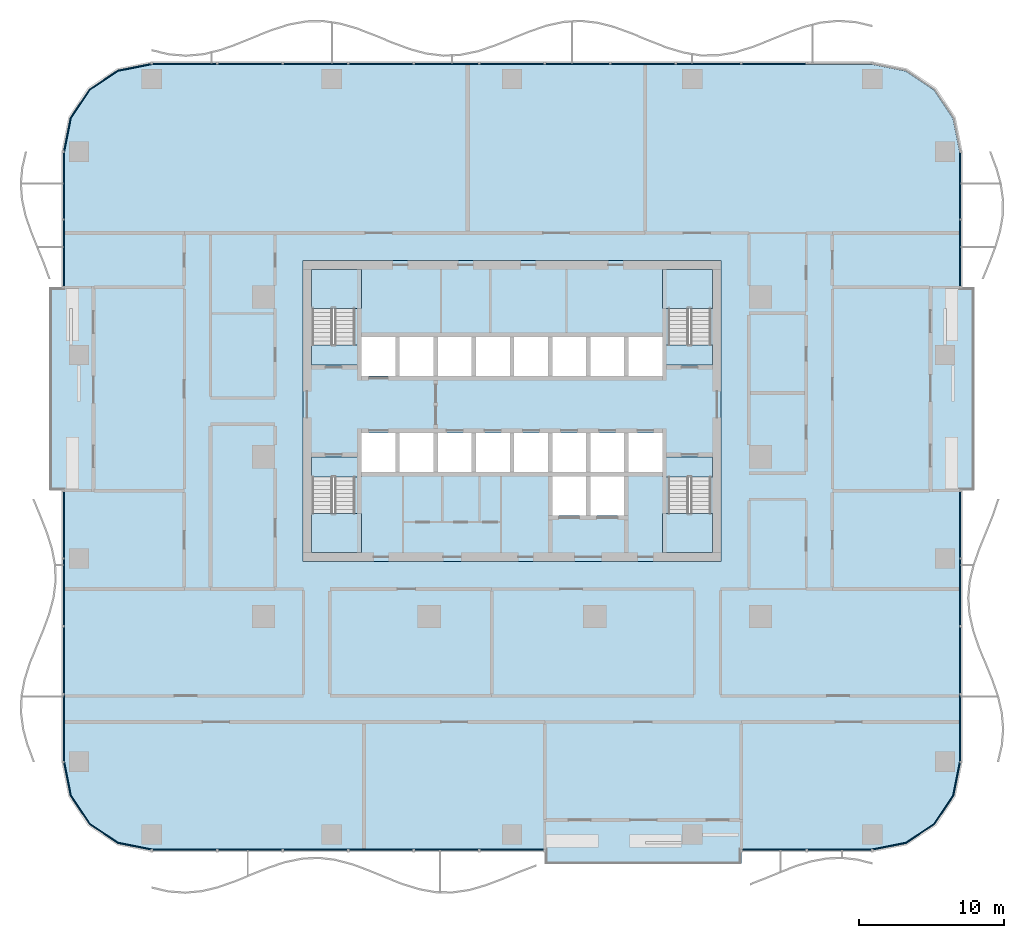
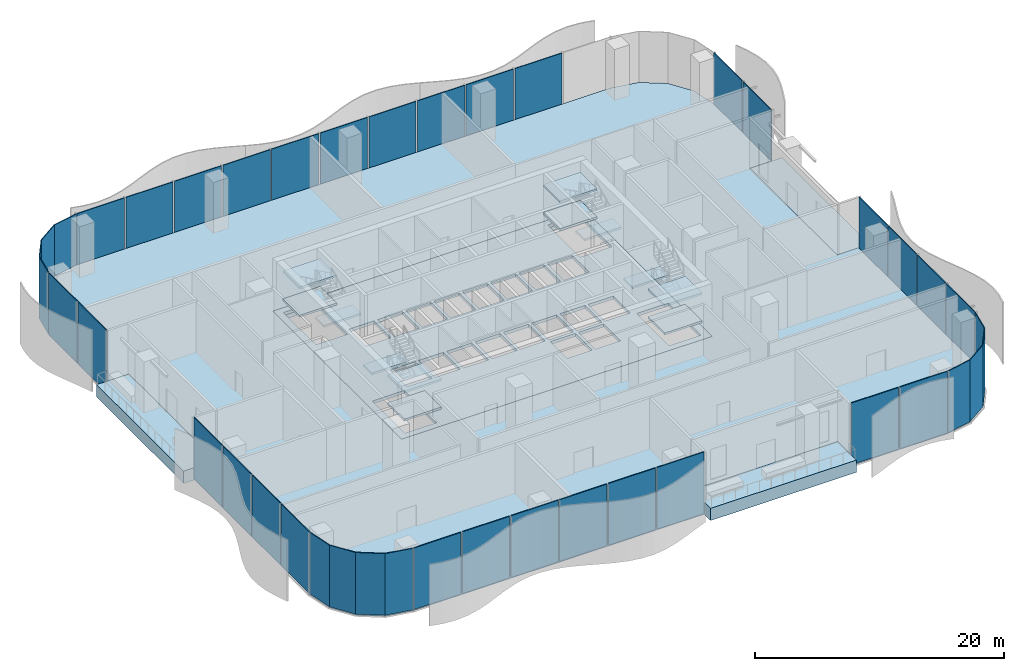
# One storey, part 6 of 21: 33 plates, 17 slabs, 14 elements without a shape of their own.
"""IFC4 building model written with IfcOpenShell, lengths in metres."""

from ifc_helpers import new_model, si_unit, direction, frame, origin, origin_2d, place, context, subcontext, project, spatial, polyline, rectangle, outline, extrude, material, layer, layer_set, type_object, element, aggregate, save


model = new_model("IFC4")

# Units and contexts
model_context = context("Model", 3, precision=1e-05, world=origin(), true_north=direction((0.0, 1.0)))
body_context = subcontext(model_context, "Body", "Model", "MODEL_VIEW")
ifc_project = project(units=[si_unit("LENGTHUNIT", "METRE"), si_unit("AREAUNIT", "SQUARE_METRE"), si_unit("VOLUMEUNIT", "CUBIC_METRE"), si_unit("PLANEANGLEUNIT", "RADIAN"), si_unit("MASSUNIT", "GRAM", prefix="KILO")], contexts=[model_context])

# Site, building, storey
site_placement = place(None, origin())
site = spatial("IfcSite", under=ifc_project, at=site_placement, CompositionType="ELEMENT")
building_placement = place(site_placement, origin())
building = spatial("IfcBuilding", under=site, at=building_placement, Name="Mopane Tessera Tower", CompositionType="ELEMENT")
storey_placement = place(building_placement, frame((0.0, 0.0, 9.0)))
storey = spatial("IfcBuildingStorey", under=building, at=storey_placement, Name="L01", CompositionType="ELEMENT", Elevation=9.0)

# Slab
ifc_material_1 = material(Name="Concrete C40/50", Category="concrete")
ifc_layer_1 = layer(ifc_material_1, 0.300048828125)
ifc_layer_set_1 = layer_set([ifc_layer_1], Name="Concrete C40/50")
slab_type_1 = type_object("IfcSlabType", Name="Core floor slab 300 mm", PredefinedType="FLOOR", material=ifc_layer_set_1)
slab_1_placement = place(storey_placement, frame((0.0, 0.0, -0.300048828125)))
element("IfcSlab", 1, at=slab_1_placement, inside=storey, type_object=slab_type_1, Name="L01 core floor slab", PredefinedType="FLOOR", context=body_context, shape_type="SweptSolid", body=[
    extrude(outline(polyline([(-14.39990234375, -7.199951171875), (14.39990234375, -7.199951171875), (14.39990234375, 13.5), (-14.39990234375, 13.5), (-14.39990234375, -7.199951171875)]), holes=[polyline([(-10.35009765625, -1.050048828125), (-8.02490234375, -1.050048828125), (-8.02490234375, 1.64990234375), (-10.35009765625, 1.64990234375), (-10.35009765625, -1.050048828125)]), polyline([(-7.72509765625, -1.050048828125), (-5.39990234375, -1.050048828125), (-5.39990234375, 1.64990234375), (-7.72509765625, 1.64990234375), (-7.72509765625, -1.050048828125)]), polyline([(-5.10009765625, -1.050048828125), (-2.77490234375, -1.050048828125), (-2.77490234375, 1.64990234375), (-5.10009765625, 1.64990234375), (-5.10009765625, -1.050048828125)]), polyline([(-2.47509765625, -1.050048828125), (-0.14990234375, -1.050048828125), (-0.14990234375, 1.64990234375), (-2.47509765625, 1.64990234375), (-2.47509765625, -1.050048828125)]), polyline([(0.14990234375, -1.050048828125), (2.47509765625, -1.050048828125), (2.47509765625, 1.64990234375), (0.14990234375, 1.64990234375), (0.14990234375, -1.050048828125)]), polyline([(2.77490234375, -1.050048828125), (5.10009765625, -1.050048828125), (5.10009765625, 1.64990234375), (2.77490234375, 1.64990234375), (2.77490234375, -1.050048828125)]), polyline([(5.39990234375, -1.050048828125), (7.72509765625, -1.050048828125), (7.72509765625, 1.64990234375), (5.39990234375, 1.64990234375), (5.39990234375, -1.050048828125)]), polyline([(8.02490234375, -1.050048828125), (10.35009765625, -1.050048828125), (10.35009765625, 1.64990234375), (8.02490234375, 1.64990234375), (8.02490234375, -1.050048828125)]), polyline([(-10.35009765625, 5.550048828125), (-8.02490234375, 5.550048828125), (-8.02490234375, 8.25), (-10.35009765625, 8.25), (-10.35009765625, 5.550048828125)]), polyline([(-7.72509765625, 5.550048828125), (-5.39990234375, 5.550048828125), (-5.39990234375, 8.25), (-7.72509765625, 8.25), (-7.72509765625, 5.550048828125)]), polyline([(-5.10009765625, 5.550048828125), (-2.77490234375, 5.550048828125), (-2.77490234375, 8.25), (-5.10009765625, 8.25), (-5.10009765625, 5.550048828125)]), polyline([(-2.47509765625, 5.550048828125), (-0.14990234375, 5.550048828125), (-0.14990234375, 8.25), (-2.47509765625, 8.25), (-2.47509765625, 5.550048828125)]), polyline([(0.14990234375, 5.550048828125), (2.47509765625, 5.550048828125), (2.47509765625, 8.25), (0.14990234375, 8.25), (0.14990234375, 5.550048828125)]), polyline([(2.77490234375, 5.550048828125), (5.10009765625, 5.550048828125), (5.10009765625, 8.25), (2.77490234375, 8.25), (2.77490234375, 5.550048828125)]), polyline([(5.39990234375, 5.550048828125), (7.72509765625, 5.550048828125), (7.72509765625, 8.25), (5.39990234375, 8.25), (5.39990234375, 5.550048828125)]), polyline([(8.02490234375, 5.550048828125), (10.35009765625, 5.550048828125), (10.35009765625, 8.25), (8.02490234375, 8.25), (8.02490234375, 5.550048828125)]), polyline([(2.77490234375, -4.050048828125), (5.10009765625, -4.050048828125), (5.10009765625, -1.35009765625), (2.77490234375, -1.35009765625), (2.77490234375, -4.050048828125)]), polyline([(5.39990234375, -4.050048828125), (7.72509765625, -4.050048828125), (7.72509765625, -1.35009765625), (5.39990234375, -1.35009765625), (5.39990234375, -4.050048828125)]), polyline([(-13.75, -1.405029296875), (-13.75, -6.60009765625), (-10.800048828125, -6.60009765625), (-10.800048828125, -1.405029296875), (-13.75, -1.405029296875)]), polyline([(-10.800048828125, 7.705078125), (-10.800048828125, 12.89990234375), (-13.75, 12.89990234375), (-13.75, 7.705078125), (-10.800048828125, 7.705078125)]), polyline([(10.75, -1.405029296875), (10.75, -6.60009765625), (13.699951171875, -6.60009765625), (13.699951171875, -1.405029296875), (10.75, -1.405029296875)]), polyline([(13.699951171875, 7.705078125), (13.699951171875, 12.89990234375), (10.75, 12.89990234375), (10.75, 7.705078125), (13.699951171875, 7.705078125)])]), origin(), (0.0, 0.0, 1.0), 0.300048828125),
])

# Stair, slabs
ifc_material_2 = material(Name="Concrete C50/60", Category="concrete")
stair_type = type_object("IfcStairType", Name="Escape stair 1400 mm, riser 138 mm", PredefinedType="HALF_TURN_STAIR", material=ifc_material_2)
stair_1_placement = place(storey_placement, origin())
stair_1 = element("IfcStair", 2, at=stair_1_placement, inside=storey, type_object=stair_type, Name="L01 Escape stair south-west", PredefinedType="HALF_TURN_STAIR")
ifc_material_3 = material(Name="Concrete C50/60", Category="concrete")
ifc_layer_2 = layer(ifc_material_3, 0.199951171875)
ifc_layer_set_2 = layer_set([ifc_layer_2], Name="Concrete C50/60")
slab_type_2 = type_object("IfcSlabType", Name="Escape stair landing 200 mm", PredefinedType="LANDING", material=ifc_layer_set_2)
slab_2_placement = place(storey_placement, frame((0.0, 0.0, 1.175048828125)))
slab_2 = element("IfcSlab", 3, at=slab_2_placement, type_object=slab_type_2, Name="ST1 landing 1", PredefinedType="LANDING", context=body_context, shape_type="SweptSolid", body=[
    extrude(outline(polyline([(-13.800048828125, -3.919921875), (-13.800048828125, -6.60009765625), (-10.35009765625, -6.60009765625), (-10.35009765625, -3.919921875), (-13.800048828125, -3.919921875)])), origin(), (0.0, 0.0, 1.0), 0.199951171875),
])
slab_3_placement = place(storey_placement, frame((0.0, 0.0, 2.550048828125)))
slab_3 = element("IfcSlab", 4, at=slab_3_placement, type_object=slab_type_2, Name="ST1 landing 2", PredefinedType="LANDING", context=body_context, shape_type="SweptSolid", body=[
    extrude(outline(polyline([(-13.800048828125, 0.0), (-13.800048828125, -1.39990234375), (-10.35009765625, -1.39990234375), (-10.35009765625, 0.0), (-13.800048828125, 0.0)])), origin(), (0.0, 0.0, 1.0), 0.199951171875),
])
slab_4_placement = place(storey_placement, frame((0.0, 0.0, 3.925048828125)))
slab_4 = element("IfcSlab", 5, at=slab_4_placement, type_object=slab_type_2, Name="ST1 landing 3", PredefinedType="LANDING", context=body_context, shape_type="SweptSolid", body=[
    extrude(outline(polyline([(-13.800048828125, -3.919921875), (-13.800048828125, -6.60009765625), (-10.35009765625, -6.60009765625), (-10.35009765625, -3.919921875), (-13.800048828125, -3.919921875)])), origin(), (0.0, 0.0, 1.0), 0.199951171875),
])
aggregate(stair_1, [slab_2, slab_3, slab_4])

stair_2_placement = place(storey_placement, origin())
stair_2 = element("IfcStair", 6, at=stair_2_placement, inside=storey, type_object=stair_type, Name="L01 Escape stair north-west", PredefinedType="HALF_TURN_STAIR")
slab_5_placement = place(storey_placement, frame((0.0, 0.0, 1.175048828125)))
slab_5 = element("IfcSlab", 7, at=slab_5_placement, type_object=slab_type_2, Name="ST2 landing 1", PredefinedType="LANDING", context=body_context, shape_type="SweptSolid", body=[
    extrude(outline(polyline([(-10.35009765625, 10.219970703125), (-10.35009765625, 12.89990234375), (-13.800048828125, 12.89990234375), (-13.800048828125, 10.219970703125), (-10.35009765625, 10.219970703125)])), origin(), (0.0, 0.0, 1.0), 0.199951171875),
])
slab_6_placement = place(storey_placement, frame((0.0, 0.0, 2.550048828125)))
slab_6 = element("IfcSlab", 8, at=slab_6_placement, type_object=slab_type_2, Name="ST2 landing 2", PredefinedType="LANDING", context=body_context, shape_type="SweptSolid", body=[
    extrude(outline(polyline([(-10.35009765625, 6.300048828125), (-10.35009765625, 7.699951171875), (-13.800048828125, 7.699951171875), (-13.800048828125, 6.300048828125), (-10.35009765625, 6.300048828125)])), origin(), (0.0, 0.0, 1.0), 0.199951171875),
])
slab_7_placement = place(storey_placement, frame((0.0, 0.0, 3.925048828125)))
slab_7 = element("IfcSlab", 9, at=slab_7_placement, type_object=slab_type_2, Name="ST2 landing 3", PredefinedType="LANDING", context=body_context, shape_type="SweptSolid", body=[
    extrude(outline(polyline([(-10.35009765625, 10.219970703125), (-10.35009765625, 12.89990234375), (-13.800048828125, 12.89990234375), (-13.800048828125, 10.219970703125), (-10.35009765625, 10.219970703125)])), origin(), (0.0, 0.0, 1.0), 0.199951171875),
])
aggregate(stair_2, [slab_5, slab_6, slab_7])

stair_3_placement = place(storey_placement, origin())
stair_3 = element("IfcStair", 10, at=stair_3_placement, inside=storey, type_object=stair_type, Name="L01 Escape stair south-east", PredefinedType="HALF_TURN_STAIR")
slab_8_placement = place(storey_placement, frame((0.0, 0.0, 1.175048828125)))
slab_8 = element("IfcSlab", 11, at=slab_8_placement, type_object=slab_type_2, Name="ST3 landing 1", PredefinedType="LANDING", context=body_context, shape_type="SweptSolid", body=[
    extrude(outline(polyline([(10.35009765625, -3.919921875), (10.35009765625, -6.60009765625), (13.800048828125, -6.60009765625), (13.800048828125, -3.919921875), (10.35009765625, -3.919921875)])), origin(), (0.0, 0.0, 1.0), 0.199951171875),
])
slab_9_placement = place(storey_placement, frame((0.0, 0.0, 2.550048828125)))
slab_9 = element("IfcSlab", 12, at=slab_9_placement, type_object=slab_type_2, Name="ST3 landing 2", PredefinedType="LANDING", context=body_context, shape_type="SweptSolid", body=[
    extrude(outline(polyline([(10.35009765625, 0.0), (10.35009765625, -1.39990234375), (13.800048828125, -1.39990234375), (13.800048828125, 0.0), (10.35009765625, 0.0)])), origin(), (0.0, 0.0, 1.0), 0.199951171875),
])
slab_10_placement = place(storey_placement, frame((0.0, 0.0, 3.925048828125)))
slab_10 = element("IfcSlab", 13, at=slab_10_placement, type_object=slab_type_2, Name="ST3 landing 3", PredefinedType="LANDING", context=body_context, shape_type="SweptSolid", body=[
    extrude(outline(polyline([(10.35009765625, -3.919921875), (10.35009765625, -6.60009765625), (13.800048828125, -6.60009765625), (13.800048828125, -3.919921875), (10.35009765625, -3.919921875)])), origin(), (0.0, 0.0, 1.0), 0.199951171875),
])
aggregate(stair_3, [slab_8, slab_9, slab_10])

stair_4_placement = place(storey_placement, origin())
stair_4 = element("IfcStair", 14, at=stair_4_placement, inside=storey, type_object=stair_type, Name="L01 Escape stair north-east", PredefinedType="HALF_TURN_STAIR")
slab_11_placement = place(storey_placement, frame((0.0, 0.0, 1.175048828125)))
slab_11 = element("IfcSlab", 15, at=slab_11_placement, type_object=slab_type_2, Name="ST4 landing 1", PredefinedType="LANDING", context=body_context, shape_type="SweptSolid", body=[
    extrude(outline(polyline([(13.800048828125, 10.219970703125), (13.800048828125, 12.89990234375), (10.35009765625, 12.89990234375), (10.35009765625, 10.219970703125), (13.800048828125, 10.219970703125)])), origin(), (0.0, 0.0, 1.0), 0.199951171875),
])
slab_12_placement = place(storey_placement, frame((0.0, 0.0, 2.550048828125)))
slab_12 = element("IfcSlab", 16, at=slab_12_placement, type_object=slab_type_2, Name="ST4 landing 2", PredefinedType="LANDING", context=body_context, shape_type="SweptSolid", body=[
    extrude(outline(polyline([(13.800048828125, 6.300048828125), (13.800048828125, 7.699951171875), (10.35009765625, 7.699951171875), (10.35009765625, 6.300048828125), (13.800048828125, 6.300048828125)])), origin(), (0.0, 0.0, 1.0), 0.199951171875),
])
slab_13_placement = place(storey_placement, frame((0.0, 0.0, 3.925048828125)))
slab_13 = element("IfcSlab", 17, at=slab_13_placement, type_object=slab_type_2, Name="ST4 landing 3", PredefinedType="LANDING", context=body_context, shape_type="SweptSolid", body=[
    extrude(outline(polyline([(13.800048828125, 10.219970703125), (13.800048828125, 12.89990234375), (10.35009765625, 12.89990234375), (10.35009765625, 10.219970703125), (13.800048828125, 10.219970703125)])), origin(), (0.0, 0.0, 1.0), 0.199951171875),
])
aggregate(stair_4, [slab_11, slab_12, slab_13])

# Slabs
ifc_material_4 = material(Name="Concrete C40/50", Category="concrete")
ifc_layer_3 = layer(ifc_material_4, 1.199951171875)
ifc_layer_set_3 = layer_set([ifc_layer_3], Name="Concrete C40/50")
slab_type_3 = type_object("IfcSlabType", Name="Planted terrace slab 1200 mm", PredefinedType="FLOOR", material=ifc_layer_set_3)
slab_14_placement = place(storey_placement, frame((0.0, 0.0, -1.199951171875)))
element("IfcSlab", 18, at=slab_14_placement, inside=storey, type_object=slab_type_3, Name="Terrace slab N1 L01", PredefinedType="FLOOR", context=body_context, shape_type="SweptSolid", body=[
    extrude(outline(polyline([(15.78173828125, -28.0), (15.78173828125, -25.0), (2.254638671875, -25.0), (2.254638671875, -28.0), (15.78173828125, -28.0)])), origin(), (0.0, 0.0, 1.0), 1.199951171875),
])
slab_15_placement = place(storey_placement, frame((0.0, 0.0, -1.199951171875)))
element("IfcSlab", 19, at=slab_15_placement, inside=storey, type_object=slab_type_3, Name="Terrace slab N2 L01", PredefinedType="FLOOR", context=body_context, shape_type="SweptSolid", body=[
    extrude(outline(polyline([(31.800048828125, 11.666748046875), (28.800048828125, 11.666748046875), (28.800048828125, -2.333251953125), (31.800048828125, -2.333251953125), (31.800048828125, 11.666748046875)])), origin(), (0.0, 0.0, 1.0), 1.199951171875),
])
slab_16_placement = place(storey_placement, frame((0.0, 0.0, -1.199951171875)))
element("IfcSlab", 20, at=slab_16_placement, inside=storey, type_object=slab_type_3, Name="Terrace slab N3 L01", PredefinedType="FLOOR", context=body_context, shape_type="SweptSolid", body=[
    extrude(outline(polyline([(-31.800048828125, -2.333251953125), (-28.800048828125, -2.333251953125), (-28.800048828125, 11.666748046875), (-31.800048828125, 11.666748046875), (-31.800048828125, -2.333251953125)])), origin(), (0.0, 0.0, 1.0), 1.199951171875),
])

# Curtain wall, plates
ifc_material_5 = material(Name="Aluminium frame", Category="aluminium")
curtain_wall_type = type_object("IfcCurtainWallType", Name="Podium unitised wall", PredefinedType="NOTDEFINED", material=ifc_material_5)
curtain_wall_1_placement = place(storey_placement, origin())
curtain_wall_1 = element("IfcCurtainWall", 21, at=curtain_wall_1_placement, inside=storey, type_object=curtain_wall_type, Name="e:cw:L01:S:0", PredefinedType="NOTDEFINED")
ifc_material_6 = material(Name="Limestone spandrel", Category="masonry")
ifc_layer_4 = layer(ifc_material_6, 0.080078125)
ifc_layer_set_4 = layer_set([ifc_layer_4], Name="Limestone spandrel")
plate_type = type_object("IfcPlateType", Name="Podium stone spandrel unit", PredefinedType="CURTAIN_PANEL", material=ifc_layer_set_4)
plate_1_placement = place(storey_placement, frame((-22.54541015625, -27.0400390625, -1.0400390625), z_axis=(0.0, 0.0, 1.0), x_axis=(1.0, 0.0, 0.0)))
plate_1 = element("IfcPlate", 22, at=plate_1_placement, type_object=plate_type, Name="e:cw:L01:S:0:pn0", PredefinedType="CURTAIN_PANEL", context=body_context, shape_type="SweptSolid", body=[
    extrude(rectangle(XDim=4.384033203125, YDim=0.080078125, at=origin_2d()), origin(), (0.0, 0.0, 1.0), 6.0400390625),
])
plate_2_placement = place(storey_placement, frame((-18.036376953125, -27.0400390625, -1.0400390625), z_axis=(0.0, 0.0, 1.0), x_axis=(1.0, 0.0, 0.0)))
plate_2 = element("IfcPlate", 23, at=plate_2_placement, type_object=plate_type, Name="e:cw:L01:S:0:pn1", PredefinedType="CURTAIN_PANEL", context=body_context, shape_type="SweptSolid", body=[
    extrude(rectangle(XDim=4.384033203125, YDim=0.080078125, at=origin_2d()), origin(), (0.0, 0.0, 1.0), 6.0400390625),
])
plate_3_placement = place(storey_placement, frame((-13.52734375, -27.0400390625, -1.0400390625), z_axis=(0.0, 0.0, 1.0), x_axis=(1.0, 0.0, 0.0)))
plate_3 = element("IfcPlate", 24, at=plate_3_placement, type_object=plate_type, Name="e:cw:L01:S:0:pn2", PredefinedType="CURTAIN_PANEL", context=body_context, shape_type="SweptSolid", body=[
    extrude(rectangle(XDim=4.384033203125, YDim=0.080078125, at=origin_2d()), origin(), (0.0, 0.0, 1.0), 6.0400390625),
])
plate_4_placement = place(storey_placement, frame((-9.01806640625, -27.0400390625, -1.0400390625), z_axis=(0.0, 0.0, 1.0), x_axis=(1.0, 0.0, 0.0)))
plate_4 = element("IfcPlate", 25, at=plate_4_placement, type_object=plate_type, Name="e:cw:L01:S:0:pn3", PredefinedType="CURTAIN_PANEL", context=body_context, shape_type="SweptSolid", body=[
    extrude(rectangle(XDim=4.384033203125, YDim=0.080078125, at=origin_2d()), origin(), (0.0, 0.0, 1.0), 6.0400390625),
])
plate_5_placement = place(storey_placement, frame((-4.509033203125, -27.0400390625, -1.0400390625), z_axis=(0.0, 0.0, 1.0), x_axis=(1.0, 0.0, 0.0)))
plate_5 = element("IfcPlate", 26, at=plate_5_placement, type_object=plate_type, Name="e:cw:L01:S:0:pn4", PredefinedType="CURTAIN_PANEL", context=body_context, shape_type="SweptSolid", body=[
    extrude(rectangle(XDim=4.384033203125, YDim=0.080078125, at=origin_2d()), origin(), (0.0, 0.0, 1.0), 6.0400390625),
])
plate_6_placement = place(storey_placement, frame((0.0, -27.0400390625, -1.0400390625), z_axis=(0.0, 0.0, 1.0), x_axis=(1.0, 0.0, 0.0)))
plate_6 = element("IfcPlate", 27, at=plate_6_placement, type_object=plate_type, Name="e:cw:L01:S:0:pn5", PredefinedType="CURTAIN_PANEL", context=body_context, shape_type="SweptSolid", body=[
    extrude(rectangle(XDim=4.384033203125, YDim=0.080078125, at=origin_2d()), origin(), (0.0, 0.0, 1.0), 6.0400390625),
])
aggregate(curtain_wall_1, [plate_1, plate_2, plate_3, plate_4, plate_5, plate_6])

curtain_wall_2_placement = place(storey_placement, origin())
curtain_wall_2 = element("IfcCurtainWall", 28, at=curtain_wall_2_placement, inside=storey, type_object=curtain_wall_type, Name="e:cw:L01:S:9", PredefinedType="NOTDEFINED")
plate_7_placement = place(storey_placement, frame((18.036376953125, -27.0400390625, -1.0400390625), z_axis=(0.0, 0.0, 1.0), x_axis=(1.0, 0.0, 0.0)))
plate_7 = element("IfcPlate", 29, at=plate_7_placement, type_object=plate_type, Name="e:cw:L01:S:9:pn9", PredefinedType="CURTAIN_PANEL", context=body_context, shape_type="SweptSolid", body=[
    extrude(rectangle(XDim=4.384033203125, YDim=0.080078125, at=origin_2d()), origin(), (0.0, 0.0, 1.0), 6.0400390625),
])
plate_8_placement = place(storey_placement, frame((22.54541015625, -27.0400390625, -1.0400390625), z_axis=(0.0, 0.0, 1.0), x_axis=(1.0, 0.0, 0.0)))
plate_8 = element("IfcPlate", 30, at=plate_8_placement, type_object=plate_type, Name="e:cw:L01:S:9:pn10", PredefinedType="CURTAIN_PANEL", context=body_context, shape_type="SweptSolid", body=[
    extrude(rectangle(XDim=4.384033203125, YDim=0.080078125, at=origin_2d()), origin(), (0.0, 0.0, 1.0), 6.0400390625),
])
aggregate(curtain_wall_2, [plate_7, plate_8])

# Curtain wall, plate
curtain_wall_3_placement = place(storey_placement, origin())
curtain_wall_3 = element("IfcCurtainWall", 31, at=curtain_wall_3_placement, inside=storey, type_object=curtain_wall_type, Name="e:cw:L01:CS", PredefinedType="NOTDEFINED")
plate_9_placement = place(storey_placement, frame((0.0, 0.0, -1.0400390625)))
plate_9 = element("IfcPlate", 32, at=plate_9_placement, type_object=plate_type, Name="e:cw:L01:CS:pn", PredefinedType="CURTAIN_PANEL", context=body_context, shape_type="SweptSolid", body=[
    extrude(outline(polyline([(24.800048828125, -27.0), (27.09619140625, -26.543212890625), (29.042724609375, -25.24267578125), (30.34326171875, -23.296142578125), (30.800048828125, -21.0), (30.8798828125, -21.0), (30.417236328125, -23.32666015625), (29.09912109375, -25.29931640625), (27.126708984375, -26.6171875), (24.800048828125, -27.080078125), (24.800048828125, -27.0)])), origin(), (0.0, 0.0, 1.0), 6.0400390625),
])
aggregate(curtain_wall_3, [plate_9])

# Curtain wall, plates
curtain_wall_4_placement = place(storey_placement, origin())
curtain_wall_4 = element("IfcCurtainWall", 33, at=curtain_wall_4_placement, inside=storey, type_object=curtain_wall_type, Name="e:cw:L01:E:0", PredefinedType="NOTDEFINED")
plate_10_placement = place(storey_placement, frame((30.840087890625, -18.666748046875, -1.0400390625), z_axis=(0.0, 0.0, 1.0), x_axis=(0.0, 1.0, 0.0)))
plate_10 = element("IfcPlate", 34, at=plate_10_placement, type_object=plate_type, Name="e:cw:L01:E:0:pn0", PredefinedType="CURTAIN_PANEL", context=body_context, shape_type="SweptSolid", body=[
    extrude(rectangle(XDim=4.541748046875, YDim=0.080078125, at=origin_2d()), origin(), (0.0, 0.0, 1.0), 6.0400390625),
])
plate_11_placement = place(storey_placement, frame((30.840087890625, -14.0, -1.0400390625), z_axis=(0.0, 0.0, 1.0), x_axis=(0.0, 1.0, 0.0)))
plate_11 = element("IfcPlate", 35, at=plate_11_placement, type_object=plate_type, Name="e:cw:L01:E:0:pn1", PredefinedType="CURTAIN_PANEL", context=body_context, shape_type="SweptSolid", body=[
    extrude(rectangle(XDim=4.541748046875, YDim=0.080078125, at=origin_2d()), origin(), (0.0, 0.0, 1.0), 6.0400390625),
])
plate_12_placement = place(storey_placement, frame((30.840087890625, -9.333251953125, -1.0400390625), z_axis=(0.0, 0.0, 1.0), x_axis=(0.0, 1.0, 0.0)))
plate_12 = element("IfcPlate", 36, at=plate_12_placement, type_object=plate_type, Name="e:cw:L01:E:0:pn2", PredefinedType="CURTAIN_PANEL", context=body_context, shape_type="SweptSolid", body=[
    extrude(rectangle(XDim=4.541748046875, YDim=0.080078125, at=origin_2d()), origin(), (0.0, 0.0, 1.0), 6.0400390625),
])
plate_13_placement = place(storey_placement, frame((30.840087890625, -4.666748046875, -1.0400390625), z_axis=(0.0, 0.0, 1.0), x_axis=(0.0, 1.0, 0.0)))
plate_13 = element("IfcPlate", 37, at=plate_13_placement, type_object=plate_type, Name="e:cw:L01:E:0:pn3", PredefinedType="CURTAIN_PANEL", context=body_context, shape_type="SweptSolid", body=[
    extrude(rectangle(XDim=4.541748046875, YDim=0.080078125, at=origin_2d()), origin(), (0.0, 0.0, 1.0), 6.0400390625),
])
aggregate(curtain_wall_4, [plate_10, plate_11, plate_12, plate_13])

curtain_wall_5_placement = place(storey_placement, origin())
curtain_wall_5 = element("IfcCurtainWall", 38, at=curtain_wall_5_placement, inside=storey, type_object=curtain_wall_type, Name="e:cw:L01:E:7", PredefinedType="NOTDEFINED")
plate_14_placement = place(storey_placement, frame((30.840087890625, 14.0, -1.0400390625), z_axis=(0.0, 0.0, 1.0), x_axis=(0.0, 1.0, 0.0)))
plate_14 = element("IfcPlate", 39, at=plate_14_placement, type_object=plate_type, Name="e:cw:L01:E:7:pn7", PredefinedType="CURTAIN_PANEL", context=body_context, shape_type="SweptSolid", body=[
    extrude(rectangle(XDim=4.541748046875, YDim=0.080078125, at=origin_2d()), origin(), (0.0, 0.0, 1.0), 6.0400390625),
])
plate_15_placement = place(storey_placement, frame((30.840087890625, 18.666748046875, -1.0400390625), z_axis=(0.0, 0.0, 1.0), x_axis=(0.0, 1.0, 0.0)))
plate_15 = element("IfcPlate", 40, at=plate_15_placement, type_object=plate_type, Name="e:cw:L01:E:7:pn8", PredefinedType="CURTAIN_PANEL", context=body_context, shape_type="SweptSolid", body=[
    extrude(rectangle(XDim=4.541748046875, YDim=0.080078125, at=origin_2d()), origin(), (0.0, 0.0, 1.0), 6.0400390625),
])
aggregate(curtain_wall_5, [plate_14, plate_15])

curtain_wall_6_placement = place(storey_placement, origin())
curtain_wall_6 = element("IfcCurtainWall", 41, at=curtain_wall_6_placement, inside=storey, type_object=curtain_wall_type, Name="e:cw:L01:N:0", PredefinedType="NOTDEFINED")
plate_16_placement = place(storey_placement, frame((18.036376953125, 27.0400390625, -1.0400390625), z_axis=(0.0, 0.0, 1.0), x_axis=(-1.0, 0.0, 0.0)))
plate_16 = element("IfcPlate", 42, at=plate_16_placement, type_object=plate_type, Name="e:cw:L01:N:0:pn1", PredefinedType="CURTAIN_PANEL", context=body_context, shape_type="SweptSolid", body=[
    extrude(rectangle(XDim=4.384033203125, YDim=0.080078125, at=origin_2d()), origin(), (0.0, 0.0, 1.0), 6.0400390625),
])
plate_17_placement = place(storey_placement, frame((13.52734375, 27.0400390625, -1.0400390625), z_axis=(0.0, 0.0, 1.0), x_axis=(-1.0, 0.0, 0.0)))
plate_17 = element("IfcPlate", 43, at=plate_17_placement, type_object=plate_type, Name="e:cw:L01:N:0:pn2", PredefinedType="CURTAIN_PANEL", context=body_context, shape_type="SweptSolid", body=[
    extrude(rectangle(XDim=4.384033203125, YDim=0.080078125, at=origin_2d()), origin(), (0.0, 0.0, 1.0), 6.0400390625),
])
plate_18_placement = place(storey_placement, frame((9.01806640625, 27.0400390625, -1.0400390625), z_axis=(0.0, 0.0, 1.0), x_axis=(-1.0, 0.0, 0.0)))
plate_18 = element("IfcPlate", 44, at=plate_18_placement, type_object=plate_type, Name="e:cw:L01:N:0:pn3", PredefinedType="CURTAIN_PANEL", context=body_context, shape_type="SweptSolid", body=[
    extrude(rectangle(XDim=4.384033203125, YDim=0.080078125, at=origin_2d()), origin(), (0.0, 0.0, 1.0), 6.0400390625),
])
plate_19_placement = place(storey_placement, frame((4.509033203125, 27.0400390625, -1.0400390625), z_axis=(0.0, 0.0, 1.0), x_axis=(-1.0, 0.0, 0.0)))
plate_19 = element("IfcPlate", 45, at=plate_19_placement, type_object=plate_type, Name="e:cw:L01:N:0:pn4", PredefinedType="CURTAIN_PANEL", context=body_context, shape_type="SweptSolid", body=[
    extrude(rectangle(XDim=4.384033203125, YDim=0.080078125, at=origin_2d()), origin(), (0.0, 0.0, 1.0), 6.0400390625),
])
plate_20_placement = place(storey_placement, frame((0.0, 27.0400390625, -1.0400390625), z_axis=(0.0, 0.0, 1.0), x_axis=(-1.0, 0.0, 0.0)))
plate_20 = element("IfcPlate", 46, at=plate_20_placement, type_object=plate_type, Name="e:cw:L01:N:0:pn5", PredefinedType="CURTAIN_PANEL", context=body_context, shape_type="SweptSolid", body=[
    extrude(rectangle(XDim=4.384033203125, YDim=0.080078125, at=origin_2d()), origin(), (0.0, 0.0, 1.0), 6.0400390625),
])
plate_21_placement = place(storey_placement, frame((-4.509033203125, 27.0400390625, -1.0400390625), z_axis=(0.0, 0.0, 1.0), x_axis=(-1.0, 0.0, 0.0)))
plate_21 = element("IfcPlate", 47, at=plate_21_placement, type_object=plate_type, Name="e:cw:L01:N:0:pn6", PredefinedType="CURTAIN_PANEL", context=body_context, shape_type="SweptSolid", body=[
    extrude(rectangle(XDim=4.384033203125, YDim=0.080078125, at=origin_2d()), origin(), (0.0, 0.0, 1.0), 6.0400390625),
])
plate_22_placement = place(storey_placement, frame((-9.01806640625, 27.0400390625, -1.0400390625), z_axis=(0.0, 0.0, 1.0), x_axis=(-1.0, 0.0, 0.0)))
plate_22 = element("IfcPlate", 48, at=plate_22_placement, type_object=plate_type, Name="e:cw:L01:N:0:pn7", PredefinedType="CURTAIN_PANEL", context=body_context, shape_type="SweptSolid", body=[
    extrude(rectangle(XDim=4.384033203125, YDim=0.080078125, at=origin_2d()), origin(), (0.0, 0.0, 1.0), 6.0400390625),
])
plate_23_placement = place(storey_placement, frame((-13.52734375, 27.0400390625, -1.0400390625), z_axis=(0.0, 0.0, 1.0), x_axis=(-1.0, 0.0, 0.0)))
plate_23 = element("IfcPlate", 49, at=plate_23_placement, type_object=plate_type, Name="e:cw:L01:N:0:pn8", PredefinedType="CURTAIN_PANEL", context=body_context, shape_type="SweptSolid", body=[
    extrude(rectangle(XDim=4.384033203125, YDim=0.080078125, at=origin_2d()), origin(), (0.0, 0.0, 1.0), 6.0400390625),
])
plate_24_placement = place(storey_placement, frame((-18.036376953125, 27.0400390625, -1.0400390625), z_axis=(0.0, 0.0, 1.0), x_axis=(-1.0, 0.0, 0.0)))
plate_24 = element("IfcPlate", 50, at=plate_24_placement, type_object=plate_type, Name="e:cw:L01:N:0:pn9", PredefinedType="CURTAIN_PANEL", context=body_context, shape_type="SweptSolid", body=[
    extrude(rectangle(XDim=4.384033203125, YDim=0.080078125, at=origin_2d()), origin(), (0.0, 0.0, 1.0), 6.0400390625),
])
plate_25_placement = place(storey_placement, frame((-22.54541015625, 27.0400390625, -1.0400390625), z_axis=(0.0, 0.0, 1.0), x_axis=(-1.0, 0.0, 0.0)))
plate_25 = element("IfcPlate", 51, at=plate_25_placement, type_object=plate_type, Name="e:cw:L01:N:0:pn10", PredefinedType="CURTAIN_PANEL", context=body_context, shape_type="SweptSolid", body=[
    extrude(rectangle(XDim=4.384033203125, YDim=0.080078125, at=origin_2d()), origin(), (0.0, 0.0, 1.0), 6.0400390625),
])
aggregate(curtain_wall_6, [plate_16, plate_17, plate_18, plate_19, plate_20, plate_21, plate_22, plate_23, plate_24, plate_25])

# Curtain wall, plate
curtain_wall_7_placement = place(storey_placement, origin())
curtain_wall_7 = element("IfcCurtainWall", 52, at=curtain_wall_7_placement, inside=storey, type_object=curtain_wall_type, Name="e:cw:L01:CN", PredefinedType="NOTDEFINED")
plate_26_placement = place(storey_placement, frame((0.0, 0.0, -1.0400390625)))
plate_26 = element("IfcPlate", 53, at=plate_26_placement, type_object=plate_type, Name="e:cw:L01:CN:pn", PredefinedType="CURTAIN_PANEL", context=body_context, shape_type="SweptSolid", body=[
    extrude(outline(polyline([(-24.800048828125, 27.0), (-27.09619140625, 26.543212890625), (-29.042724609375, 25.24267578125), (-30.34326171875, 23.296142578125), (-30.800048828125, 21.0), (-30.8798828125, 21.0), (-30.417236328125, 23.32666015625), (-29.09912109375, 25.29931640625), (-27.126708984375, 26.6171875), (-24.800048828125, 27.080078125), (-24.800048828125, 27.0)])), origin(), (0.0, 0.0, 1.0), 6.0400390625),
])
aggregate(curtain_wall_7, [plate_26])

# Curtain wall, plates
curtain_wall_8_placement = place(storey_placement, origin())
curtain_wall_8 = element("IfcCurtainWall", 54, at=curtain_wall_8_placement, inside=storey, type_object=curtain_wall_type, Name="e:cw:L01:W:0", PredefinedType="NOTDEFINED")
plate_27_placement = place(storey_placement, frame((-30.840087890625, 18.666748046875, -1.0400390625), z_axis=(0.0, 0.0, 1.0), x_axis=(0.0, -1.0, 0.0)))
plate_27 = element("IfcPlate", 55, at=plate_27_placement, type_object=plate_type, Name="e:cw:L01:W:0:pn0", PredefinedType="CURTAIN_PANEL", context=body_context, shape_type="SweptSolid", body=[
    extrude(rectangle(XDim=4.541748046875, YDim=0.080078125, at=origin_2d()), origin(), (0.0, 0.0, 1.0), 6.0400390625),
])
plate_28_placement = place(storey_placement, frame((-30.840087890625, 14.0, -1.0400390625), z_axis=(0.0, 0.0, 1.0), x_axis=(0.0, -1.0, 0.0)))
plate_28 = element("IfcPlate", 56, at=plate_28_placement, type_object=plate_type, Name="e:cw:L01:W:0:pn1", PredefinedType="CURTAIN_PANEL", context=body_context, shape_type="SweptSolid", body=[
    extrude(rectangle(XDim=4.541748046875, YDim=0.080078125, at=origin_2d()), origin(), (0.0, 0.0, 1.0), 6.0400390625),
])
aggregate(curtain_wall_8, [plate_27, plate_28])

curtain_wall_9_placement = place(storey_placement, origin())
curtain_wall_9 = element("IfcCurtainWall", 57, at=curtain_wall_9_placement, inside=storey, type_object=curtain_wall_type, Name="e:cw:L01:W:5", PredefinedType="NOTDEFINED")
plate_29_placement = place(storey_placement, frame((-30.840087890625, -4.666748046875, -1.0400390625), z_axis=(0.0, 0.0, 1.0), x_axis=(0.0, -1.0, 0.0)))
plate_29 = element("IfcPlate", 58, at=plate_29_placement, type_object=plate_type, Name="e:cw:L01:W:5:pn5", PredefinedType="CURTAIN_PANEL", context=body_context, shape_type="SweptSolid", body=[
    extrude(rectangle(XDim=4.541748046875, YDim=0.080078125, at=origin_2d()), origin(), (0.0, 0.0, 1.0), 6.0400390625),
])
plate_30_placement = place(storey_placement, frame((-30.840087890625, -9.333251953125, -1.0400390625), z_axis=(0.0, 0.0, 1.0), x_axis=(0.0, -1.0, 0.0)))
plate_30 = element("IfcPlate", 59, at=plate_30_placement, type_object=plate_type, Name="e:cw:L01:W:5:pn6", PredefinedType="CURTAIN_PANEL", context=body_context, shape_type="SweptSolid", body=[
    extrude(rectangle(XDim=4.541748046875, YDim=0.080078125, at=origin_2d()), origin(), (0.0, 0.0, 1.0), 6.0400390625),
])
plate_31_placement = place(storey_placement, frame((-30.840087890625, -14.0, -1.0400390625), z_axis=(0.0, 0.0, 1.0), x_axis=(0.0, -1.0, 0.0)))
plate_31 = element("IfcPlate", 60, at=plate_31_placement, type_object=plate_type, Name="e:cw:L01:W:5:pn7", PredefinedType="CURTAIN_PANEL", context=body_context, shape_type="SweptSolid", body=[
    extrude(rectangle(XDim=4.541748046875, YDim=0.080078125, at=origin_2d()), origin(), (0.0, 0.0, 1.0), 6.0400390625),
])
plate_32_placement = place(storey_placement, frame((-30.840087890625, -18.666748046875, -1.0400390625), z_axis=(0.0, 0.0, 1.0), x_axis=(0.0, -1.0, 0.0)))
plate_32 = element("IfcPlate", 61, at=plate_32_placement, type_object=plate_type, Name="e:cw:L01:W:5:pn8", PredefinedType="CURTAIN_PANEL", context=body_context, shape_type="SweptSolid", body=[
    extrude(rectangle(XDim=4.541748046875, YDim=0.080078125, at=origin_2d()), origin(), (0.0, 0.0, 1.0), 6.0400390625),
])
aggregate(curtain_wall_9, [plate_29, plate_30, plate_31, plate_32])

# Curtain wall, plate
curtain_wall_10_placement = place(storey_placement, origin())
curtain_wall_10 = element("IfcCurtainWall", 62, at=curtain_wall_10_placement, inside=storey, type_object=curtain_wall_type, Name="e:cw:L01:CW", PredefinedType="NOTDEFINED")
plate_33_placement = place(storey_placement, frame((0.0, 0.0, -1.0400390625)))
plate_33 = element("IfcPlate", 63, at=plate_33_placement, type_object=plate_type, Name="e:cw:L01:CW:pn", PredefinedType="CURTAIN_PANEL", context=body_context, shape_type="SweptSolid", body=[
    extrude(outline(polyline([(-30.800048828125, -21.0), (-30.34326171875, -23.296142578125), (-29.042724609375, -25.24267578125), (-27.09619140625, -26.543212890625), (-24.800048828125, -27.0), (-24.800048828125, -27.080078125), (-27.126708984375, -26.6171875), (-29.09912109375, -25.29931640625), (-30.417236328125, -23.32666015625), (-30.8798828125, -21.0), (-30.800048828125, -21.0)])), origin(), (0.0, 0.0, 1.0), 6.0400390625),
])
aggregate(curtain_wall_10, [plate_33])

# Slab
ifc_material_7 = material(Name="Concrete C50/60", Category="concrete")
ifc_layer_5 = layer(ifc_material_7, 1.199951171875)
ifc_layer_set_5 = layer_set([ifc_layer_5], Name="Concrete C50/60")
slab_type_4 = type_object("IfcSlabType", Name="Transfer plate 1200 mm", PredefinedType="FLOOR", material=ifc_layer_set_5)
slab_17_placement = place(storey_placement, frame((0.0, 0.0, -1.199951171875)))
element("IfcSlab", 64, at=slab_17_placement, inside=storey, type_object=slab_type_4, Name="Floor slab L01", PredefinedType="FLOOR", context=body_context, shape_type="SweptSolid", body=[
    extrude(outline(polyline([(-24.800048828125, -27.0), (2.254638671875, -27.0), (2.254638671875, -25.0), (15.78173828125, -25.0), (15.78173828125, -27.0), (24.800048828125, -27.0), (27.09619140625, -26.543212890625), (29.042724609375, -25.24267578125), (30.34326171875, -23.296142578125), (30.800048828125, -21.0), (30.800048828125, -2.333251953125), (28.800048828125, -2.333251953125), (28.800048828125, 11.666748046875), (30.800048828125, 11.666748046875), (30.800048828125, 21.0), (30.34326171875, 23.296142578125), (29.042724609375, 25.24267578125), (27.09619140625, 26.543212890625), (24.800048828125, 27.0), (-24.800048828125, 27.0), (-27.09619140625, 26.543212890625), (-29.042724609375, 25.24267578125), (-30.34326171875, 23.296142578125), (-30.800048828125, 21.0), (-30.800048828125, 11.666748046875), (-28.800048828125, 11.666748046875), (-28.800048828125, -2.333251953125), (-30.800048828125, -2.333251953125), (-30.800048828125, -21.0), (-30.34326171875, -23.296142578125), (-29.042724609375, -25.24267578125), (-27.09619140625, -26.543212890625), (-24.800048828125, -27.0)]), holes=[polyline([(14.39990234375, -7.199951171875), (-14.39990234375, -7.199951171875), (-14.39990234375, 13.5), (14.39990234375, 13.5), (14.39990234375, -7.199951171875)])]), origin(), (0.0, 0.0, 1.0), 1.199951171875),
])

save(model, "model.ifc")
